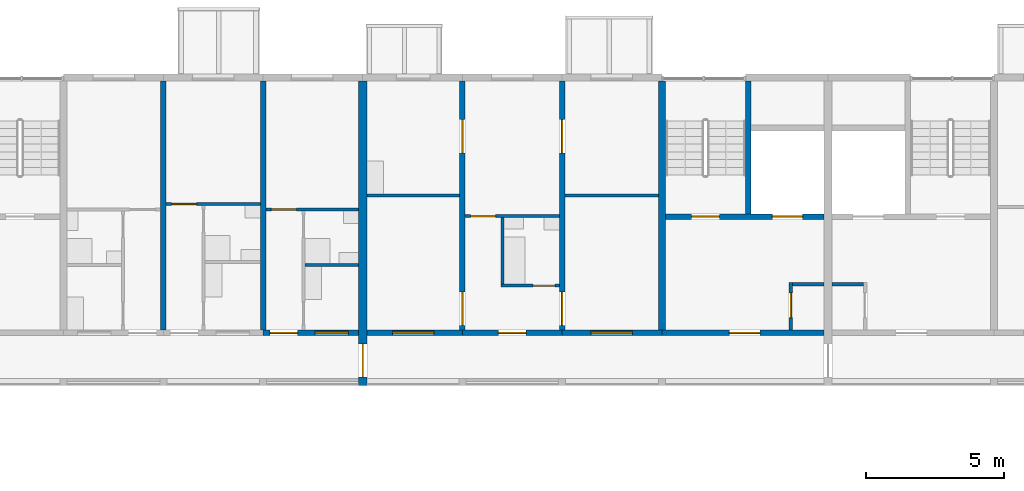
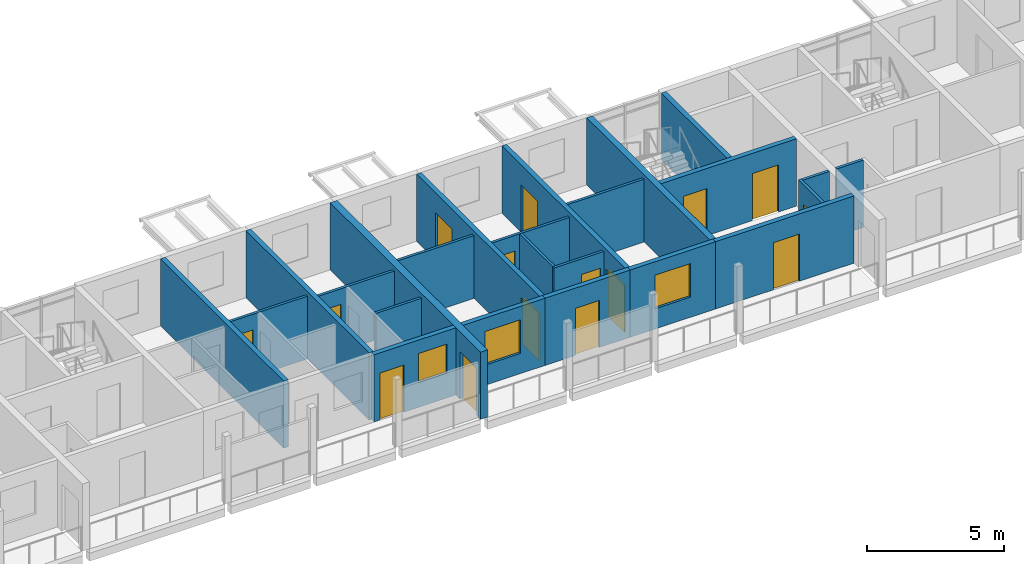
# One storey, part 55 of 99: 24 walls, 15 doors, 3 windows, 18 openings.
"""IFC4 building model written with IfcOpenShell, lengths in metres."""

import ifcopenshell
import ifcopenshell.guid

model = None  # the IFC model being written
_history = None  # IfcOwnerHistory: only IFC2X3 demands one
_inside = {}  # id of a spatial element -> (the spatial element, [elements in it])
_under = {}  # id of a project, library or spatial element -> (it, [spatial elements below it])
_declared = {}  # id of a project -> (the project, [libraries it declares])
_typed = {}  # id of a type object -> (the type object, [elements of that type])
_made_of = {}  # id of a material, layer set ... -> (it, [elements and type objects made of it])


def new_model(schema):
    """Start an empty IFC model of exactly this schema.

    Asked for "IFC4X3", IfcOpenShell would pick the latest addendum, in which some entities
    have other attributes; the version numbers below select the first issue.
    IFC2X3 requires an IfcOwnerHistory on every rooted entity: one is made here for all.
    """
    global model, _history
    if schema == "IFC4X3":
        model = ifcopenshell.file(schema_version=(4, 3, 0, 0))
    else:
        model = ifcopenshell.file(schema=schema)
    _inside.clear()
    _under.clear()
    _declared.clear()
    _typed.clear()
    _made_of.clear()
    _history = None
    if model.schema == "IFC2X3":
        org = make("IfcOrganization", Name="unknown")
        user = make(
            "IfcPersonAndOrganization",
            ThePerson=make("IfcPerson", FamilyName="unknown"),
            TheOrganization=org,
        )
        app = make(
            "IfcApplication",
            ApplicationDeveloper=org,
            Version="unknown",
            ApplicationFullName="unknown",
            ApplicationIdentifier="unknown",
        )
        _history = make(
            "IfcOwnerHistory",
            OwningUser=user,
            OwningApplication=app,
            ChangeAction="ADDED",
            CreationDate=0,
        )
    return model


def make(cls, **values):
    """One entity of the class cls with the attributes given. An attribute that is None is left unset."""
    return model.create_entity(
        cls, **{name: value for name, value in values.items() if value is not None}
    )


def rooted(cls, **values):
    """An entity with a GlobalId (a new one), such as an element, a storey or a relation."""
    return make(cls, GlobalId=ifcopenshell.guid.new(), OwnerHistory=_history, **values)


def si_unit(unit_type, name, prefix=None):
    """IfcSIUnit, for example si_unit("LENGTHUNIT", "METRE", prefix="MILLI")."""
    return make("IfcSIUnit", UnitType=unit_type, Prefix=prefix, Name=name)


def assignment(units):
    """IfcUnitAssignment: the units of a project."""
    return None if units is None else make("IfcUnitAssignment", Units=units)


def point(xyz):
    """IfcCartesianPoint."""
    return None if xyz is None else make("IfcCartesianPoint", Coordinates=xyz)


def direction(xyz):
    """IfcDirection."""
    return None if xyz is None else make("IfcDirection", DirectionRatios=xyz)


def frame(location, z_axis=None, x_axis=None):
    """IfcAxis2Placement3D, a coordinate frame: its origin and axes. An axis left out is left unset."""
    return make(
        "IfcAxis2Placement3D",
        Location=point(location),
        Axis=direction(z_axis),
        RefDirection=direction(x_axis),
    )


def frame_2d(location, x_axis=None):
    """IfcAxis2Placement2D, a coordinate frame in the plane: its origin and x axis."""
    return make(
        "IfcAxis2Placement2D", Location=point(location), RefDirection=direction(x_axis)
    )


def origin():
    """The frame at (0, 0, 0) with its axes left unset."""
    return frame((0.0, 0.0, 0.0))


def place(relative_to, where):
    """IfcLocalPlacement: puts the frame where relative to a parent placement (None: the world)."""
    return make(
        "IfcLocalPlacement", PlacementRelTo=relative_to, RelativePlacement=where
    )


def context(
    kind, dimensions, precision=None, world=None, true_north=None, identifier=None
):
    """IfcGeometricRepresentationContext, for example the 3D "Model" context."""
    return make(
        "IfcGeometricRepresentationContext",
        ContextIdentifier=identifier,
        ContextType=kind,
        CoordinateSpaceDimension=dimensions,
        Precision=precision,
        WorldCoordinateSystem=world,
        TrueNorth=true_north,
    )


def subcontext(parent, identifier, kind, view, scale=None):
    """IfcGeometricRepresentationSubContext, for example "Body" below "Model"."""
    return make(
        "IfcGeometricRepresentationSubContext",
        ContextIdentifier=identifier,
        ContextType=kind,
        ParentContext=parent,
        TargetScale=scale,
        TargetView=view,
    )


def project(units=None, contexts=None):
    """IfcProject with its units and contexts."""
    return rooted(
        "IfcProject",
        Name="project",
        RepresentationContexts=contexts,
        UnitsInContext=assignment(units),
    )


def spatial(cls, under=None, at=None, **own):
    """A site, building, storey or space (cls), placed at a placement, below another one or the project."""
    s = rooted(cls, ObjectPlacement=at, **own)
    if under is not None:
        _under.setdefault(under.id(), (under, []))[1].append(s)
    return s


def profile(cls, at=None, kind="AREA", **sizes):
    """A parametric profile (cls). Its sizes go by their IFC names, for example OverallWidth=200.0."""
    return make(cls, ProfileType=kind, Position=at, **sizes)


def rectangle(**sizes):
    """IfcRectangleProfileDef."""
    return profile("IfcRectangleProfileDef", **sizes)


def extrude(swept, where, along, depth):
    """IfcExtrudedAreaSolid: the profile swept, set in the frame where, extruded along a direction by depth."""
    return make(
        "IfcExtrudedAreaSolid",
        SweptArea=swept,
        Position=where,
        ExtrudedDirection=direction(along),
        Depth=depth,
    )


def shape(context_of_items, identifier, shape_type, items):
    """IfcShapeRepresentation: the items that make up one representation, for example the "Body"."""
    return make(
        "IfcShapeRepresentation",
        ContextOfItems=context_of_items,
        RepresentationIdentifier=identifier,
        RepresentationType=shape_type,
        Items=items,
    )


def material(Name=None, Category=None):
    """IfcMaterial."""
    return make("IfcMaterial", Name=Name, Category=Category)


def layer(
    of_material, thickness, ventilated=None, Name=None, Category=None, Priority=None
):
    """IfcMaterialLayer: one layer of a wall or slab, of a material (None: an air gap)."""
    return make(
        "IfcMaterialLayer",
        Material=of_material,
        LayerThickness=thickness,
        IsVentilated=ventilated,
        Name=Name,
        Category=Category,
        Priority=Priority,
    )


def layer_set(layers, Name=None):
    """IfcMaterialLayerSet."""
    return make("IfcMaterialLayerSet", MaterialLayers=layers, LayerSetName=Name)


def made_of(thing, what):
    """Note that an element or type object is made of a material, layer set ...; save() writes the relation."""
    if what is not None:
        _made_of.setdefault(what.id(), (what, []))[1].append(thing)
    return thing


def type_object(cls, material=None, **own):
    """A type object (cls), such as IfcWallType, which elements share."""
    return made_of(rooted(cls, **own), material)


def element(
    cls,
    number,
    at=None,
    inside=None,
    cuts=None,
    type_object=None,
    material=None,
    context=None,
    identifier="Body",
    shape_type=None,
    held_by="IfcProductDefinitionShape",
    body=None,
    shapes=None,
    **own,
):
    """One element of the class cls, such as IfcWall. Its Tag is "e" and its number.

    at: its placement. inside: the storey or other place that contains it. cuts: it is an
    opening in that element (IfcRelVoidsElement). A single representation is given by context,
    identifier, shape_type and body (its items); several are given by shapes. held_by: the class
    of the entity that holds the representations. save() writes the other relations.
    """
    e = rooted(cls, Tag="e%d" % number, ObjectPlacement=at, **own)
    if body is not None:
        shapes = [shape(context, identifier, shape_type, body)]
    if shapes is not None:
        e.Representation = make(held_by, Representations=shapes)
    if inside is not None:
        _inside.setdefault(inside.id(), (inside, []))[1].append(e)
    if cuts is not None:
        rooted(
            "IfcRelVoidsElement", RelatingBuildingElement=cuts, RelatedOpeningElement=e
        )
    if type_object is not None:
        _typed.setdefault(type_object.id(), (type_object, []))[1].append(e)
    return made_of(e, material)


def fill(opening, filler):
    """IfcRelFillsElement: the door or window that sits in an opening."""
    return rooted(
        "IfcRelFillsElement",
        RelatingOpeningElement=opening,
        RelatedBuildingElement=filler,
    )


def aggregate(whole, parts):
    """IfcRelAggregates: a whole, such as a stair, and the parts it consists of."""
    return rooted("IfcRelAggregates", RelatingObject=whole, RelatedObjects=parts)


def save(model, path):
    """Write the relations noted so far, then the file.

    IfcRelAggregates (storeys below a building ...), IfcRelContainedInSpatialStructure (elements
    in a storey), IfcRelDefinesByType, IfcRelAssociatesMaterial and IfcRelDeclares: one each for
    every whole, place, type object, material and project.
    """
    for whole, parts in _under.values():
        aggregate(whole, parts)
    for where, things in _inside.values():
        rooted(
            "IfcRelContainedInSpatialStructure",
            RelatedElements=things,
            RelatingStructure=where,
        )
    for kind, things in _typed.values():
        rooted("IfcRelDefinesByType", RelatedObjects=things, RelatingType=kind)
    for what, things in _made_of.values():
        rooted("IfcRelAssociatesMaterial", RelatedObjects=things, RelatingMaterial=what)
    for by, libraries in _declared.values():
        rooted("IfcRelDeclares", RelatingContext=by, RelatedDefinitions=libraries)
    model.write(path)


model = new_model("IFC4")

# Units and contexts
model_context = context("Model", 3, precision=1e-05, world=origin(), true_north=direction((0.0, 1.0)))
body_context = subcontext(model_context, "Body", "Model", "MODEL_VIEW")
ifc_project = project(units=[si_unit("LENGTHUNIT", "METRE"), si_unit("AREAUNIT", "SQUARE_METRE"), si_unit("VOLUMEUNIT", "CUBIC_METRE"), si_unit("PLANEANGLEUNIT", "RADIAN"), si_unit("MASSUNIT", "GRAM", prefix="KILO")], contexts=[model_context])

# Site, building, storey
site_placement = place(None, origin())
site = spatial("IfcSite", under=ifc_project, at=site_placement, CompositionType="ELEMENT")
building_placement = place(site_placement, origin())
building = spatial("IfcBuilding", under=site, at=building_placement, Name="Ridgestep Commons", CompositionType="ELEMENT")
storey_placement = place(building_placement, frame((0.0, 0.0, 15.0)))
storey = spatial("IfcBuildingStorey", under=building, at=storey_placement, Name="L05", CompositionType="ELEMENT", Elevation=15.0)

# Wall
ifc_material_1 = material(Name="Concrete C30/37", Category="concrete")
ifc_layer_1 = layer(ifc_material_1, 0.25)
ifc_layer_set_1 = layer_set([ifc_layer_1], Name="Core cross wall 250")
wall_type_1 = type_object("IfcWallType", Name="Core cross wall 250", PredefinedType="SHEAR", material=ifc_layer_set_1)
wall_1_placement = place(storey_placement, frame((224.800048828125, 68.0, 0.0), z_axis=(0.0, 0.0, 1.0), x_axis=(0.0, 1.0, 0.0)))
element("IfcWall", 1, at=wall_1_placement, inside=storey, type_object=wall_type_1, Name="Cross wall C-05-2248", PredefinedType="SHEAR", context=body_context, shape_type="SweptSolid", body=[
    extrude(rectangle(XDim=9.0, YDim=0.25, at=frame_2d((4.5, 0.0))), origin(), (0.0, 0.0, 1.0), 3.0),
])

# Wall, opening, door
ifc_material_2 = material(Name="Concrete C30/37", Category="concrete")
ifc_layer_2 = layer(ifc_material_2, 0.199951171875)
ifc_layer_set_2 = layer_set([ifc_layer_2], Name="Core south wall 200")
wall_type_2 = type_object("IfcWallType", Name="Core south wall 200", PredefinedType="SHEAR", material=ifc_layer_set_2)
wall_2_placement = place(storey_placement, frame((224.800048828125, 67.89990234375, 0.0), z_axis=(0.0, 0.0, 1.0), x_axis=(1.0, 0.0, 0.0)))
wall_2 = element("IfcWall", 2, at=wall_2_placement, inside=storey, type_object=wall_type_2, Name="Core south wall C5C L05", PredefinedType="SHEAR", context=body_context, shape_type="SweptSolid", body=[
    extrude(rectangle(XDim=5.849853515625, YDim=0.199951171875, at=frame_2d((2.9248046875, 0.0))), origin(), (0.0, 0.0, 1.0), 3.0),
])
opening_1_placement = place(wall_2_placement, frame((2.4375, 0.0, 0.0)))
opening_1 = element("IfcOpeningElement", 3, at=opening_1_placement, cuts=wall_2, Name="Opening C5C/05/1", PredefinedType="OPENING", context=body_context, shape_type="SweptSolid", body=[
    extrude(rectangle(XDim=1.10009765625, YDim=2.10009765625, at=frame_2d((0.550048828125, 1.050048828125))), frame((0.0, 0.10986328125, 0.0), z_axis=(0.0, -1.0, 0.0), x_axis=(1.0, 0.0, 0.0)), (0.0, 0.0, 1.0), 0.219970703125),
])
ifc_material_3 = material(Name="Steel fire door", Category="steel")
door_type_1 = type_object("IfcDoorType", Name="Lobby door 1100 x 2100 FD60", OperationType="NOTDEFINED", PredefinedType="DOOR", material=ifc_material_3)
door_1_placement = place(opening_1_placement, origin())
door_1 = element("IfcDoor", 4, at=door_1_placement, inside=storey, type_object=door_type_1, Name="Lobby door C5C/05/1", OperationType="SINGLE_SWING_LEFT", OverallHeight=2.10009765625, OverallWidth=1.10009765625, PredefinedType="DOOR", context=body_context, shape_type="SweptSolid", body=[
    extrude(rectangle(XDim=1.10009765625, YDim=2.10009765625, at=frame_2d((0.550048828125, 1.050048828125))), frame((0.0, 0.02490234375, 0.0), z_axis=(0.0, -1.0, 0.0), x_axis=(1.0, 0.0, 0.0)), (0.0, 0.0, 1.0), 0.050048828125),
])
fill(opening_1, door_1)

ifc_material_4 = material(Name="Concrete C30/37", Category="concrete")
ifc_layer_3 = layer(ifc_material_4, 0.1201171875)
ifc_layer_set_3 = layer_set([ifc_layer_3], Name="Core wall 120")
wall_type_3 = type_object("IfcWallType", Name="Core wall 120", PredefinedType="SHEAR", material=ifc_layer_set_3)
wall_3_placement = place(storey_placement, frame((229.4599609375, 68.0, 0.0), z_axis=(0.0, 0.0, 1.0), x_axis=(0.0, 1.0, 0.0)))
wall_3 = element("IfcWall", 5, at=wall_3_placement, inside=storey, type_object=wall_type_3, Name="Core riser w wall C5C L05", PredefinedType="SHEAR", context=body_context, shape_type="SweptSolid", body=[
    extrude(rectangle(XDim=1.719970703125, YDim=0.1201171875, at=frame_2d((0.85986328125, 0.0))), origin(), (0.0, 0.0, 1.0), 3.0),
])
opening_2_placement = place(wall_3_placement, frame((0.449951171875, 0.0, 0.0)))
opening_2 = element("IfcOpeningElement", 6, at=opening_2_placement, cuts=wall_3, Name="Opening C5C/05/4", PredefinedType="OPENING", context=body_context, shape_type="SweptSolid", body=[
    extrude(rectangle(XDim=0.89990234375, YDim=2.10009765625, at=frame_2d((0.449951171875, 1.050048828125))), frame((0.0, 0.070068359375, 0.0), z_axis=(0.0, -1.0, 0.0), x_axis=(1.0, 0.0, 0.0)), (0.0, 0.0, 1.0), 0.14013671875),
])
ifc_material_5 = material(Name="Steel fire door", Category="steel")
door_type_2 = type_object("IfcDoorType", Name="Riser door 900 x 2100 FD60", OperationType="NOTDEFINED", PredefinedType="DOOR", material=ifc_material_5)
door_2_placement = place(opening_2_placement, origin())
door_2 = element("IfcDoor", 7, at=door_2_placement, inside=storey, type_object=door_type_2, Name="Riser door C5C/05/4", OperationType="SINGLE_SWING_LEFT", OverallHeight=2.10009765625, OverallWidth=0.89990234375, PredefinedType="DOOR", context=body_context, shape_type="SweptSolid", body=[
    extrude(rectangle(XDim=0.89990234375, YDim=2.10009765625, at=frame_2d((0.449951171875, 1.050048828125))), frame((0.0, 0.02490234375, 0.0), z_axis=(0.0, -1.0, 0.0), x_axis=(1.0, 0.0, 0.0)), (0.0, 0.0, 1.0), 0.050048828125),
])
fill(opening_2, door_2)

# Walls
wall_4_placement = place(storey_placement, frame((229.52001953125, 69.659912109375, 0.0), z_axis=(0.0, 0.0, 1.0), x_axis=(1.0, 0.0, 0.0)))
element("IfcWall", 8, at=wall_4_placement, inside=storey, type_object=wall_type_3, Name="Core riser n wall C5C L05", PredefinedType="SHEAR", context=body_context, shape_type="SweptSolid", body=[
    extrude(rectangle(XDim=1.1298828125, YDim=0.1201171875, at=frame_2d((0.56494140625, 0.0))), origin(), (0.0, 0.0, 1.0), 3.0),
])
wall_5_placement = place(storey_placement, frame((230.949951171875, 69.659912109375, 0.0), z_axis=(0.0, 0.0, 1.0), x_axis=(1.0, 0.0, 0.0)))
element("IfcWall", 9, at=wall_5_placement, inside=storey, type_object=wall_type_3, Name="Core riser n wall C6C L05", PredefinedType="SHEAR", context=body_context, shape_type="SweptSolid", body=[
    extrude(rectangle(XDim=1.130126953125, YDim=0.1201171875, at=frame_2d((0.56494140625, 0.0))), origin(), (0.0, 0.0, 1.0), 3.0),
])

# Wall, openings, doors
ifc_material_6 = material(Name="Concrete C30/37", Category="concrete")
ifc_layer_4 = layer(ifc_material_6, 0.199951171875)
ifc_layer_set_4 = layer_set([ifc_layer_4], Name="Core wall 200")
wall_type_4 = type_object("IfcWallType", Name="Core wall 200", PredefinedType="SHEAR", material=ifc_layer_set_4)
wall_6_placement = place(storey_placement, frame((224.925048828125, 72.10009765625, 0.0), z_axis=(0.0, 0.0, 1.0), x_axis=(1.0, 0.0, 0.0)))
wall_6 = element("IfcWall", 10, at=wall_6_placement, inside=storey, type_object=wall_type_4, Name="Core lobby wall C5C L05", PredefinedType="SHEAR", context=body_context, shape_type="SweptSolid", body=[
    extrude(rectangle(XDim=5.724853515625, YDim=0.199951171875, at=frame_2d((2.8623046875, 0.0))), origin(), (0.0, 0.0, 1.0), 3.0),
])
opening_3_placement = place(wall_6_placement, frame((0.949951171875, 0.0, 0.0)))
opening_3 = element("IfcOpeningElement", 11, at=opening_3_placement, cuts=wall_6, Name="Opening C5C/05/2", PredefinedType="OPENING", context=body_context, shape_type="SweptSolid", body=[
    extrude(rectangle(XDim=1.0, YDim=2.10009765625, at=frame_2d((0.5, 1.050048828125))), frame((0.0, 0.10986328125, 0.0), z_axis=(0.0, -1.0, 0.0), x_axis=(1.0, 0.0, 0.0)), (0.0, 0.0, 1.0), 0.219970703125),
])
opening_4_placement = place(wall_6_placement, frame((3.862548828125, 0.0, 0.0)))
opening_4 = element("IfcOpeningElement", 12, at=opening_4_placement, cuts=wall_6, Name="Opening C5C/05/3", PredefinedType="OPENING", context=body_context, shape_type="SweptSolid", body=[
    extrude(rectangle(XDim=1.10009765625, YDim=2.10009765625, at=frame_2d((0.550048828125, 1.050048828125))), frame((0.0, 0.10986328125, 0.0), z_axis=(0.0, -1.0, 0.0), x_axis=(1.0, 0.0, 0.0)), (0.0, 0.0, 1.0), 0.219970703125),
])
ifc_material_7 = material(Name="Stainless steel", Category="steel")
door_type_3 = type_object("IfcDoorType", Name="Lift landing door 1100 x 2100 FD60", OperationType="DOUBLE_DOOR_SLIDING", PredefinedType="DOOR", material=ifc_material_7)
door_3_placement = place(opening_4_placement, origin())
door_3 = element("IfcDoor", 13, at=door_3_placement, inside=storey, type_object=door_type_3, Name="Landing door LD C5C L05", OperationType="DOUBLE_DOOR_SLIDING", OverallHeight=2.10009765625, OverallWidth=1.10009765625, PredefinedType="DOOR", context=body_context, shape_type="SweptSolid", body=[
    extrude(rectangle(XDim=1.10009765625, YDim=2.10009765625, at=frame_2d((0.550048828125, 1.050048828125))), frame((0.0, 0.02490234375, 0.0), z_axis=(0.0, -1.0, 0.0), x_axis=(1.0, 0.0, 0.0)), (0.0, 0.0, 1.0), 0.050048828125),
])
fill(opening_4, door_3)
ifc_material_8 = material(Name="Steel fire door", Category="steel")
door_type_4 = type_object("IfcDoorType", Name="Stair door 1000 x 2100 FD60", OperationType="NOTDEFINED", PredefinedType="DOOR", material=ifc_material_8)
door_4_placement = place(opening_3_placement, origin())
door_4 = element("IfcDoor", 14, at=door_4_placement, inside=storey, type_object=door_type_4, Name="Stair door C5C/05/2", OperationType="SINGLE_SWING_RIGHT", OverallHeight=2.10009765625, OverallWidth=1.0, PredefinedType="DOOR", context=body_context, shape_type="SweptSolid", body=[
    extrude(rectangle(XDim=1.0, YDim=2.10009765625, at=frame_2d((0.5, 1.050048828125))), frame((0.0, 0.02490234375, 0.0), z_axis=(0.0, -1.0, 0.0), x_axis=(1.0, 0.0, 0.0)), (0.0, 0.0, 1.0), 0.050048828125),
])
fill(opening_3, door_4)

# Walls
wall_7_placement = place(storey_placement, frame((227.925048828125, 72.199951171875, 0.0), z_axis=(0.0, 0.0, 1.0), x_axis=(0.0, 1.0, 0.0)))
element("IfcWall", 15, at=wall_7_placement, inside=storey, type_object=wall_type_4, Name="Core stair wall C5C L05", PredefinedType="SHEAR", context=body_context, shape_type="SweptSolid", body=[
    extrude(rectangle(XDim=4.800048828125, YDim=0.199951171875, at=frame_2d((2.39990234375, 0.0))), origin(), (0.0, 0.0, 1.0), 3.0),
])
ifc_material_9 = material(Name="Precast concrete C40/50", Category="concrete")
ifc_layer_5 = layer(ifc_material_9, 0.199951171875)
ifc_layer_set_5 = layer_set([ifc_layer_5], Name="Cross wall 200")
wall_type_5 = type_object("IfcWallType", Name="Cross wall 200", PredefinedType="SHEAR", material=ifc_layer_set_5)
for number, where, z_axis, x_axis, name in (
    (16, (206.800048828125, 68.0, 0.0), (0.0, 0.0, 1.0), (0.0, 1.0, 0.0), "Cross wall C-05-2068"),
    (17, (210.39990234375, 68.0, 0.0), (0.0, 0.0, 1.0), (0.0, 1.0, 0.0), "Cross wall C-05-2104"),
):
    element("IfcWall", number, at=place(storey_placement, frame(where, z_axis=z_axis, x_axis=x_axis)), inside=storey, type_object=wall_type_5, Name=name, PredefinedType="SHEAR", context=body_context, shape_type="SweptSolid", body=[
        extrude(rectangle(XDim=9.0, YDim=0.199951171875, at=frame_2d((4.5, 0.0))), origin(), (0.0, 0.0, 1.0), 3.0),
    ])

# Wall, openings, doors
wall_8_placement = place(storey_placement, frame((217.60009765625, 68.0, 0.0), z_axis=(0.0, 0.0, 1.0), x_axis=(0.0, 1.0, 0.0)))
wall_8 = element("IfcWall", 18, at=wall_8_placement, inside=storey, type_object=wall_type_5, Name="Cross wall C-05-2176", PredefinedType="SHEAR", context=body_context, shape_type="SweptSolid", body=[
    extrude(rectangle(XDim=9.0, YDim=0.199951171875, at=frame_2d((4.5, 0.0))), origin(), (0.0, 0.0, 1.0), 3.0),
])
opening_5_placement = place(wall_8_placement, frame((0.175048828125, 0.0, 0.0)))
opening_5 = element("IfcOpeningElement", 19, at=opening_5_placement, cuts=wall_8, Name="Opening C5-05a/4", PredefinedType="OPENING", context=body_context, shape_type="SweptSolid", body=[
    extrude(rectangle(XDim=1.199951171875, YDim=2.10009765625, at=frame_2d((0.60009765625, 1.050048828125))), frame((0.0, 0.10986328125, 0.0), z_axis=(0.0, -1.0, 0.0), x_axis=(1.0, 0.0, 0.0)), (0.0, 0.0, 1.0), 0.219970703125),
])
opening_6_placement = place(wall_8_placement, frame((6.39990234375, 0.0, 0.0)))
opening_6 = element("IfcOpeningElement", 20, at=opening_6_placement, cuts=wall_8, Name="Opening C5-05a/5", PredefinedType="OPENING", context=body_context, shape_type="SweptSolid", body=[
    extrude(rectangle(XDim=1.199951171875, YDim=2.10009765625, at=frame_2d((0.60009765625, 1.050048828125))), frame((0.0, 0.10986328125, 0.0), z_axis=(0.0, -1.0, 0.0), x_axis=(1.0, 0.0, 0.0)), (0.0, 0.0, 1.0), 0.219970703125),
])
ifc_material_10 = material(Name="Timber door leaf", Category="wood")
door_type_5 = type_object("IfcDoorType", Name="Double door 1200 x 2100", OperationType="DOUBLE_DOOR_SINGLE_SWING", PredefinedType="DOOR", material=ifc_material_10)
door_5_placement = place(opening_5_placement, origin())
door_5 = element("IfcDoor", 21, at=door_5_placement, inside=storey, type_object=door_type_5, Name="Double door C5-05a/4", OperationType="DOUBLE_DOOR_SINGLE_SWING", OverallHeight=2.10009765625, OverallWidth=1.199951171875, PredefinedType="DOOR", context=body_context, shape_type="SweptSolid", body=[
    extrude(rectangle(XDim=1.199951171875, YDim=2.10009765625, at=frame_2d((0.60009765625, 1.050048828125))), frame((0.0, 0.02490234375, 0.0), z_axis=(0.0, -1.0, 0.0), x_axis=(1.0, 0.0, 0.0)), (0.0, 0.0, 1.0), 0.050048828125),
])
fill(opening_5, door_5)
door_6_placement = place(opening_6_placement, origin())
door_6 = element("IfcDoor", 22, at=door_6_placement, inside=storey, type_object=door_type_5, Name="Double door C5-05a/5", OperationType="DOUBLE_DOOR_SINGLE_SWING", OverallHeight=2.10009765625, OverallWidth=1.199951171875, PredefinedType="DOOR", context=body_context, shape_type="SweptSolid", body=[
    extrude(rectangle(XDim=1.199951171875, YDim=2.10009765625, at=frame_2d((0.60009765625, 1.050048828125))), frame((0.0, 0.02490234375, 0.0), z_axis=(0.0, -1.0, 0.0), x_axis=(1.0, 0.0, 0.0)), (0.0, 0.0, 1.0), 0.050048828125),
])
fill(opening_6, door_6)

wall_9_placement = place(storey_placement, frame((221.199951171875, 68.0, 0.0), z_axis=(0.0, 0.0, 1.0), x_axis=(0.0, 1.0, 0.0)))
wall_9 = element("IfcWall", 23, at=wall_9_placement, inside=storey, type_object=wall_type_5, Name="Cross wall C-05-2212", PredefinedType="SHEAR", context=body_context, shape_type="SweptSolid", body=[
    extrude(rectangle(XDim=9.0, YDim=0.199951171875, at=frame_2d((4.5, 0.0))), origin(), (0.0, 0.0, 1.0), 3.0),
])
opening_7_placement = place(wall_9_placement, frame((0.175048828125, 0.0, 0.0)))
opening_7 = element("IfcOpeningElement", 24, at=opening_7_placement, cuts=wall_9, Name="Opening C5-05a/6", PredefinedType="OPENING", context=body_context, shape_type="SweptSolid", body=[
    extrude(rectangle(XDim=1.199951171875, YDim=2.10009765625, at=frame_2d((0.60009765625, 1.050048828125))), frame((0.0, 0.10986328125, 0.0), z_axis=(0.0, -1.0, 0.0), x_axis=(1.0, 0.0, 0.0)), (0.0, 0.0, 1.0), 0.219970703125),
])
opening_8_placement = place(wall_9_placement, frame((6.39990234375, 0.0, 0.0)))
opening_8 = element("IfcOpeningElement", 25, at=opening_8_placement, cuts=wall_9, Name="Opening C5-05a/7", PredefinedType="OPENING", context=body_context, shape_type="SweptSolid", body=[
    extrude(rectangle(XDim=1.199951171875, YDim=2.10009765625, at=frame_2d((0.60009765625, 1.050048828125))), frame((0.0, 0.10986328125, 0.0), z_axis=(0.0, -1.0, 0.0), x_axis=(1.0, 0.0, 0.0)), (0.0, 0.0, 1.0), 0.219970703125),
])
door_7_placement = place(opening_7_placement, origin())
door_7 = element("IfcDoor", 26, at=door_7_placement, inside=storey, type_object=door_type_5, Name="Double door C5-05a/6", OperationType="DOUBLE_DOOR_SINGLE_SWING", OverallHeight=2.10009765625, OverallWidth=1.199951171875, PredefinedType="DOOR", context=body_context, shape_type="SweptSolid", body=[
    extrude(rectangle(XDim=1.199951171875, YDim=2.10009765625, at=frame_2d((0.60009765625, 1.050048828125))), frame((0.0, 0.02490234375, 0.0), z_axis=(0.0, -1.0, 0.0), x_axis=(1.0, 0.0, 0.0)), (0.0, 0.0, 1.0), 0.050048828125),
])
fill(opening_7, door_7)
door_8_placement = place(opening_8_placement, origin())
door_8 = element("IfcDoor", 27, at=door_8_placement, inside=storey, type_object=door_type_5, Name="Double door C5-05a/7", OperationType="DOUBLE_DOOR_SINGLE_SWING", OverallHeight=2.10009765625, OverallWidth=1.199951171875, PredefinedType="DOOR", context=body_context, shape_type="SweptSolid", body=[
    extrude(rectangle(XDim=1.199951171875, YDim=2.10009765625, at=frame_2d((0.60009765625, 1.050048828125))), frame((0.0, 0.02490234375, 0.0), z_axis=(0.0, -1.0, 0.0), x_axis=(1.0, 0.0, 0.0)), (0.0, 0.0, 1.0), 0.050048828125),
])
fill(opening_8, door_8)

# Wall, opening, door
ifc_material_11 = material(Name="Precast concrete C40/50", Category="concrete")
ifc_layer_6 = layer(ifc_material_11, 0.300048828125)
ifc_layer_set_6 = layer_set([ifc_layer_6], Name="Division wall 300")
wall_type_6 = type_object("IfcWallType", Name="Division wall 300", PredefinedType="SHEAR", material=ifc_layer_set_6)
wall_10_placement = place(storey_placement, frame((214.0, 66.0, 0.0), z_axis=(0.0, 0.0, 1.0), x_axis=(0.0, 1.0, 0.0)))
wall_10 = element("IfcWall", 28, at=wall_10_placement, inside=storey, type_object=wall_type_6, Name="Cross wall C-05-2140", PredefinedType="SHEAR", context=body_context, shape_type="SweptSolid", body=[
    extrude(rectangle(XDim=11.0, YDim=0.300048828125, at=frame_2d((5.5, 0.0))), origin(), (0.0, 0.0, 1.0), 3.0),
])
opening_9_placement = place(wall_10_placement, frame((0.300048828125, 0.0, 0.0)))
opening_9 = element("IfcOpeningElement", 29, at=opening_9_placement, cuts=wall_10, Name="Opening C/05/G2140", PredefinedType="OPENING", context=body_context, shape_type="SweptSolid", body=[
    extrude(rectangle(XDim=1.199951171875, YDim=2.10009765625, at=frame_2d((0.60009765625, 1.050048828125))), frame((0.0, 0.159912109375, 0.0), z_axis=(0.0, -1.0, 0.0), x_axis=(1.0, 0.0, 0.0)), (0.0, 0.0, 1.0), 0.320068359375),
])
ifc_material_12 = material(Name="Steel fire door", Category="steel")
door_type_6 = type_object("IfcDoorType", Name="Division fire door 1200 x 2100 EI 240", OperationType="DOUBLE_DOOR_SINGLE_SWING", PredefinedType="DOOR", material=ifc_material_12)
door_9_placement = place(opening_9_placement, origin())
door_9 = element("IfcDoor", 30, at=door_9_placement, inside=storey, type_object=door_type_6, Name="Division fire door C/05/G2140", OperationType="DOUBLE_DOOR_SINGLE_SWING", OverallHeight=2.10009765625, OverallWidth=1.199951171875, PredefinedType="DOOR", context=body_context, shape_type="SweptSolid", body=[
    extrude(rectangle(XDim=1.199951171875, YDim=2.10009765625, at=frame_2d((0.60009765625, 1.050048828125))), frame((0.0, 0.02490234375, 0.0), z_axis=(0.0, -1.0, 0.0), x_axis=(1.0, 0.0, 0.0)), (0.0, 0.0, 1.0), 0.050048828125),
])
fill(opening_9, door_9)

# Wall
ifc_material_13 = material(Name="Common brick 110 mm", Category="masonry")
ifc_layer_7 = layer(ifc_material_13, 0.110107421875)
ifc_layer_set_7 = layer_set([ifc_layer_7], Name="Partition 110")
wall_type_7 = type_object("IfcWallType", Name="Partition 110", PredefinedType="PARTITIONING", material=ifc_layer_set_7)
wall_11_placement = place(storey_placement, frame((211.909912109375, 70.35498046875, 0.0), z_axis=(0.0, 0.0, 1.0), x_axis=(1.0, 0.0, 0.0)))
element("IfcWall", 31, at=wall_11_placement, inside=storey, type_object=wall_type_7, Name="Partition C4-05a", PredefinedType="PARTITIONING", context=body_context, shape_type="SweptSolid", body=[
    extrude(rectangle(XDim=1.940185546875, YDim=0.110107421875, at=frame_2d((0.97021484375, 0.0))), origin(), (0.0, 0.0, 1.0), 2.800048828125),
])

# Wall, opening, door
wall_12_placement = place(storey_placement, frame((210.5, 72.35498046875, 0.0), z_axis=(0.0, 0.0, 1.0), x_axis=(1.0, 0.0, 0.0)))
wall_12 = element("IfcWall", 32, at=wall_12_placement, inside=storey, type_object=wall_type_7, Name="Partition C4-05a", PredefinedType="PARTITIONING", context=body_context, shape_type="SweptSolid", body=[
    extrude(rectangle(XDim=3.35009765625, YDim=0.110107421875, at=frame_2d((1.675048828125, 0.0))), origin(), (0.0, 0.0, 1.0), 2.800048828125),
])
opening_10_placement = place(wall_12_placement, frame((0.199951171875, 0.0, 0.0)))
opening_10 = element("IfcOpeningElement", 33, at=opening_10_placement, cuts=wall_12, Name="Opening C4-05a/4", PredefinedType="OPENING", context=body_context, shape_type="SweptSolid", body=[
    extrude(rectangle(XDim=0.89990234375, YDim=2.10009765625, at=frame_2d((0.449951171875, 1.050048828125))), frame((0.0, 0.06494140625, 0.0), z_axis=(0.0, -1.0, 0.0), x_axis=(1.0, 0.0, 0.0)), (0.0, 0.0, 1.0), 0.130126953125),
])
ifc_material_14 = material(Name="Timber door leaf", Category="wood")
door_type_7 = type_object("IfcDoorType", Name="Internal door 900 x 2100", OperationType="NOTDEFINED", PredefinedType="DOOR", material=ifc_material_14)
door_10_placement = place(opening_10_placement, origin())
door_10 = element("IfcDoor", 34, at=door_10_placement, inside=storey, type_object=door_type_7, Name="Internal door C4-05a/4", OperationType="SINGLE_SWING_LEFT", OverallHeight=2.10009765625, OverallWidth=0.89990234375, PredefinedType="DOOR", context=body_context, shape_type="SweptSolid", body=[
    extrude(rectangle(XDim=0.89990234375, YDim=2.10009765625, at=frame_2d((0.449951171875, 1.050048828125))), frame((0.0, 0.02490234375, 0.0), z_axis=(0.0, -1.0, 0.0), x_axis=(1.0, 0.0, 0.0)), (0.0, 0.0, 1.0), 0.050048828125),
])
fill(opening_10, door_10)

wall_13_placement = place(storey_placement, frame((206.89990234375, 72.554931640625, 0.0), z_axis=(0.0, 0.0, 1.0), x_axis=(1.0, 0.0, 0.0)))
wall_13 = element("IfcWall", 35, at=wall_13_placement, inside=storey, type_object=wall_type_7, Name="Partition C4-05b", PredefinedType="PARTITIONING", context=body_context, shape_type="SweptSolid", body=[
    extrude(rectangle(XDim=3.400146484375, YDim=0.110107421875, at=frame_2d((1.7001953125, 0.0))), origin(), (0.0, 0.0, 1.0), 2.800048828125),
])
opening_11_placement = place(wall_13_placement, frame((0.199951171875, 0.0, 0.0)))
opening_11 = element("IfcOpeningElement", 36, at=opening_11_placement, cuts=wall_13, Name="Opening C4-05b/4", PredefinedType="OPENING", context=body_context, shape_type="SweptSolid", body=[
    extrude(rectangle(XDim=0.89990234375, YDim=2.10009765625, at=frame_2d((0.449951171875, 1.050048828125))), frame((0.0, 0.06494140625, 0.0), z_axis=(0.0, -1.0, 0.0), x_axis=(1.0, 0.0, 0.0)), (0.0, 0.0, 1.0), 0.130126953125),
])
door_11_placement = place(opening_11_placement, origin())
door_11 = element("IfcDoor", 37, at=door_11_placement, inside=storey, type_object=door_type_7, Name="Internal door C4-05b/4", OperationType="SINGLE_SWING_LEFT", OverallHeight=2.10009765625, OverallWidth=0.89990234375, PredefinedType="DOOR", context=body_context, shape_type="SweptSolid", body=[
    extrude(rectangle(XDim=0.89990234375, YDim=2.10009765625, at=frame_2d((0.449951171875, 1.050048828125))), frame((0.0, 0.02490234375, 0.0), z_axis=(0.0, -1.0, 0.0), x_axis=(1.0, 0.0, 0.0)), (0.0, 0.0, 1.0), 0.050048828125),
])
fill(opening_11, door_11)

wall_14_placement = place(storey_placement, frame((219.0, 69.60498046875, 0.0), z_axis=(0.0, 0.0, 1.0), x_axis=(1.0, 0.0, 0.0)))
wall_14 = element("IfcWall", 38, at=wall_14_placement, inside=storey, type_object=wall_type_7, Name="Partition C5-05a", PredefinedType="PARTITIONING", context=body_context, shape_type="SweptSolid", body=[
    extrude(rectangle(XDim=2.10009765625, YDim=0.110107421875, at=frame_2d((1.050048828125, 0.0))), origin(), (0.0, 0.0, 1.0), 2.800048828125),
])
opening_12_placement = place(wall_14_placement, frame((1.14990234375, 0.0, 0.0)))
opening_12 = element("IfcOpeningElement", 39, at=opening_12_placement, cuts=wall_14, Name="Opening C5-05a/2", PredefinedType="OPENING", context=body_context, shape_type="SweptSolid", body=[
    extrude(rectangle(XDim=0.800048828125, YDim=2.10009765625, at=frame_2d((0.39990234375, 1.050048828125))), frame((0.0, 0.06494140625, 0.0), z_axis=(0.0, -1.0, 0.0), x_axis=(1.0, 0.0, 0.0)), (0.0, 0.0, 1.0), 0.130126953125),
])
ifc_material_15 = material(Name="Timber door leaf", Category="wood")
door_type_8 = type_object("IfcDoorType", Name="Internal door 800 x 2100", OperationType="NOTDEFINED", PredefinedType="DOOR", material=ifc_material_15)
door_12_placement = place(opening_12_placement, origin())
door_12 = element("IfcDoor", 40, at=door_12_placement, inside=storey, type_object=door_type_8, Name="Internal door C5-05a/2", OperationType="SINGLE_SWING_RIGHT", OverallHeight=2.10009765625, OverallWidth=0.800048828125, PredefinedType="DOOR", context=body_context, shape_type="SweptSolid", body=[
    extrude(rectangle(XDim=0.800048828125, YDim=2.10009765625, at=frame_2d((0.39990234375, 1.050048828125))), frame((0.0, 0.02490234375, 0.0), z_axis=(0.0, -1.0, 0.0), x_axis=(1.0, 0.0, 0.0)), (0.0, 0.0, 1.0), 0.050048828125),
])
fill(opening_12, door_12)

# Wall
wall_15_placement = place(storey_placement, frame((219.054931640625, 69.659912109375, 0.0), z_axis=(0.0, 0.0, 1.0), x_axis=(0.0, 1.0, 0.0)))
element("IfcWall", 41, at=wall_15_placement, inside=storey, type_object=wall_type_7, Name="Partition C5-05a", PredefinedType="PARTITIONING", context=body_context, shape_type="SweptSolid", body=[
    extrude(rectangle(XDim=2.400146484375, YDim=0.110107421875, at=frame_2d((1.2001953125, 0.0))), origin(), (0.0, 0.0, 1.0), 2.800048828125),
])

# Wall, opening, door
wall_16_placement = place(storey_placement, frame((217.699951171875, 72.114990234375, 0.0), z_axis=(0.0, 0.0, 1.0), x_axis=(1.0, 0.0, 0.0)))
wall_16 = element("IfcWall", 42, at=wall_16_placement, inside=storey, type_object=wall_type_7, Name="Partition C5-05a", PredefinedType="PARTITIONING", context=body_context, shape_type="SweptSolid", body=[
    extrude(rectangle(XDim=3.400146484375, YDim=0.110107421875, at=frame_2d((1.7001953125, 0.0))), origin(), (0.0, 0.0, 1.0), 2.800048828125),
])
opening_13_placement = place(wall_16_placement, frame((0.199951171875, 0.0, 0.0)))
opening_13 = element("IfcOpeningElement", 43, at=opening_13_placement, cuts=wall_16, Name="Opening C5-05a/3", PredefinedType="OPENING", context=body_context, shape_type="SweptSolid", body=[
    extrude(rectangle(XDim=0.89990234375, YDim=2.10009765625, at=frame_2d((0.449951171875, 1.050048828125))), frame((0.0, 0.06494140625, 0.0), z_axis=(0.0, -1.0, 0.0), x_axis=(1.0, 0.0, 0.0)), (0.0, 0.0, 1.0), 0.130126953125),
])
door_13_placement = place(opening_13_placement, origin())
door_13 = element("IfcDoor", 44, at=door_13_placement, inside=storey, type_object=door_type_7, Name="Internal door C5-05a/3", OperationType="SINGLE_SWING_LEFT", OverallHeight=2.10009765625, OverallWidth=0.89990234375, PredefinedType="DOOR", context=body_context, shape_type="SweptSolid", body=[
    extrude(rectangle(XDim=0.89990234375, YDim=2.10009765625, at=frame_2d((0.449951171875, 1.050048828125))), frame((0.0, 0.02490234375, 0.0), z_axis=(0.0, -1.0, 0.0), x_axis=(1.0, 0.0, 0.0)), (0.0, 0.0, 1.0), 0.050048828125),
])
fill(opening_13, door_13)

# Walls
wall_17_placement = place(storey_placement, frame((214.14990234375, 72.85498046875, 0.0), z_axis=(0.0, 0.0, 1.0), x_axis=(1.0, 0.0, 0.0)))
element("IfcWall", 45, at=wall_17_placement, inside=storey, type_object=wall_type_7, Name="Partition C5-05a", PredefinedType="PARTITIONING", context=body_context, shape_type="SweptSolid", body=[
    extrude(rectangle(XDim=3.35009765625, YDim=0.110107421875, at=frame_2d((1.675048828125, 0.0))), origin(), (0.0, 0.0, 1.0), 2.800048828125),
])
wall_18_placement = place(storey_placement, frame((221.300048828125, 72.85498046875, 0.0), z_axis=(0.0, 0.0, 1.0), x_axis=(1.0, 0.0, 0.0)))
element("IfcWall", 46, at=wall_18_placement, inside=storey, type_object=wall_type_7, Name="Partition C5-05a", PredefinedType="PARTITIONING", context=body_context, shape_type="SweptSolid", body=[
    extrude(rectangle(XDim=3.375, YDim=0.110107421875, at=frame_2d((1.6875, 0.0))), origin(), (0.0, 0.0, 1.0), 2.800048828125),
])

# Wall, openings, door, window
ifc_material_16 = material(Name="Precast concrete C40/50", Category="concrete")
ifc_layer_8 = layer(ifc_material_16, 0.199951171875)
ifc_layer_set_8 = layer_set([ifc_layer_8], Name="South facade panel 200")
wall_type_8 = type_object("IfcWallType", Name="South facade panel 200", PredefinedType="SOLIDWALL", material=ifc_layer_set_8)
wall_19_placement = place(storey_placement, frame((210.39990234375, 67.89990234375, 0.0), z_axis=(0.0, 0.0, 1.0), x_axis=(1.0, 0.0, 0.0)))
wall_19 = element("IfcWall", 47, at=wall_19_placement, inside=storey, type_object=wall_type_8, Name="South panel C4T1 L05", PredefinedType="SOLIDWALL", context=body_context, shape_type="SweptSolid", body=[
    extrude(rectangle(XDim=3.4501953125, YDim=0.199951171875, at=frame_2d((1.72509765625, 0.0))), origin(), (0.0, 0.0, 1.0), 3.0),
])
opening_14_placement = place(wall_19_placement, frame((1.8798828125, 0.0, 1.10009765625)))
opening_14 = element("IfcOpeningElement", 48, at=opening_14_placement, cuts=wall_19, Name="Opening W08", PredefinedType="OPENING", context=body_context, shape_type="SweptSolid", body=[
    extrude(rectangle(XDim=1.199951171875, YDim=1.300048828125, at=frame_2d((0.60009765625, 0.64990234375))), frame((0.0, 0.10986328125, 0.0), z_axis=(0.0, -1.0, 0.0), x_axis=(1.0, 0.0, 0.0)), (0.0, 0.0, 1.0), 0.219970703125),
])
opening_15_placement = place(wall_19_placement, frame((0.25, 0.0, 0.0)))
opening_15 = element("IfcOpeningElement", 49, at=opening_15_placement, cuts=wall_19, Name="Opening C4-05a/1", PredefinedType="OPENING", context=body_context, shape_type="SweptSolid", body=[
    extrude(rectangle(XDim=1.0, YDim=2.10009765625, at=frame_2d((0.5, 1.050048828125))), frame((0.0, 0.10986328125, 0.0), z_axis=(0.0, -1.0, 0.0), x_axis=(1.0, 0.0, 0.0)), (0.0, 0.0, 1.0), 0.219970703125),
])
ifc_material_17 = material(Name="Timber door leaf", Category="wood")
door_type_9 = type_object("IfcDoorType", Name="Flat entrance door 1000 x 2100 FD30S", OperationType="NOTDEFINED", PredefinedType="DOOR", material=ifc_material_17)
door_14_placement = place(opening_15_placement, origin())
door_14 = element("IfcDoor", 50, at=door_14_placement, inside=storey, type_object=door_type_9, Name="Flat entrance door C4-05a/1", OperationType="SINGLE_SWING_LEFT", OverallHeight=2.10009765625, OverallWidth=1.0, PredefinedType="DOOR", context=body_context, shape_type="SweptSolid", body=[
    extrude(rectangle(XDim=1.0, YDim=2.10009765625, at=frame_2d((0.5, 1.050048828125))), frame((0.0, 0.02490234375, 0.0), z_axis=(0.0, -1.0, 0.0), x_axis=(1.0, 0.0, 0.0)), (0.0, 0.0, 1.0), 0.050048828125),
])
fill(opening_15, door_14)
ifc_material_18 = material(Name="Aluminium 6063-T6 and glass", Category="aluminium")
window_type_1 = type_object("IfcWindowType", Name="Flat window 1200 x 1300", PartitioningType="SINGLE_PANEL", PredefinedType="WINDOW", material=ifc_material_18)
window_1_placement = place(opening_14_placement, origin())
window_1 = element("IfcWindow", 51, at=window_1_placement, inside=storey, type_object=window_type_1, Name="Window C4-05a 1", OverallHeight=1.300048828125, OverallWidth=1.199951171875, PartitioningType="SINGLE_PANEL", PredefinedType="WINDOW", context=body_context, shape_type="SweptSolid", body=[
    extrude(rectangle(XDim=1.199951171875, YDim=1.300048828125, at=frame_2d((0.60009765625, 0.64990234375))), frame((0.0, 0.06005859375, 0.0), z_axis=(0.0, -1.0, 0.0), x_axis=(1.0, 0.0, 0.0)), (0.0, 0.0, 1.0), 0.06005859375),
])
fill(opening_14, window_1)

# Wall, opening, window
wall_20_placement = place(storey_placement, frame((214.14990234375, 67.89990234375, 0.0), z_axis=(0.0, 0.0, 1.0), x_axis=(1.0, 0.0, 0.0)))
wall_20 = element("IfcWall", 52, at=wall_20_placement, inside=storey, type_object=wall_type_8, Name="South panel C5T1 L05", PredefinedType="SOLIDWALL", context=body_context, shape_type="SweptSolid", body=[
    extrude(rectangle(XDim=3.4501953125, YDim=0.199951171875, at=frame_2d((1.72509765625, 0.0))), origin(), (0.0, 0.0, 1.0), 3.0),
])
opening_16_placement = place(wall_20_placement, frame((0.925048828125, 0.0, 0.89990234375)))
opening_16 = element("IfcOpeningElement", 53, at=opening_16_placement, cuts=wall_20, Name="Opening W16", PredefinedType="OPENING", context=body_context, shape_type="SweptSolid", body=[
    extrude(rectangle(XDim=1.5, YDim=1.5, at=frame_2d((0.75, 0.75))), frame((0.0, 0.10986328125, 0.0), z_axis=(0.0, -1.0, 0.0), x_axis=(1.0, 0.0, 0.0)), (0.0, 0.0, 1.0), 0.219970703125),
])
ifc_material_19 = material(Name="Aluminium 6063-T6 and glass", Category="aluminium")
window_type_2 = type_object("IfcWindowType", Name="Flat window 1500 x 1500", PartitioningType="DOUBLE_PANEL_VERTICAL", PredefinedType="WINDOW", material=ifc_material_19)
window_2_placement = place(opening_16_placement, origin())
window_2 = element("IfcWindow", 54, at=window_2_placement, inside=storey, type_object=window_type_2, Name="Window C5-05a 1", OverallHeight=1.5, OverallWidth=1.5, PartitioningType="SINGLE_PANEL", PredefinedType="WINDOW", context=body_context, shape_type="SweptSolid", body=[
    extrude(rectangle(XDim=1.5, YDim=1.5, at=frame_2d((0.75, 0.75))), frame((0.0, 0.06005859375, 0.0), z_axis=(0.0, -1.0, 0.0), x_axis=(1.0, 0.0, 0.0)), (0.0, 0.0, 1.0), 0.06005859375),
])
fill(opening_16, window_2)

# Wall, opening, door
wall_21_placement = place(storey_placement, frame((217.60009765625, 67.89990234375, 0.0), z_axis=(0.0, 0.0, 1.0), x_axis=(1.0, 0.0, 0.0)))
wall_21 = element("IfcWall", 55, at=wall_21_placement, inside=storey, type_object=wall_type_8, Name="South panel C5T2 L05", PredefinedType="SOLIDWALL", context=body_context, shape_type="SweptSolid", body=[
    extrude(rectangle(XDim=3.599853515625, YDim=0.199951171875, at=frame_2d((1.7998046875, 0.0))), origin(), (0.0, 0.0, 1.0), 3.0),
])
opening_17_placement = place(wall_21_placement, frame((1.300048828125, 0.0, 0.0)))
opening_17 = element("IfcOpeningElement", 56, at=opening_17_placement, cuts=wall_21, Name="Opening C5-05a/1", PredefinedType="OPENING", context=body_context, shape_type="SweptSolid", body=[
    extrude(rectangle(XDim=1.0, YDim=2.10009765625, at=frame_2d((0.5, 1.050048828125))), frame((0.0, 0.10986328125, 0.0), z_axis=(0.0, -1.0, 0.0), x_axis=(1.0, 0.0, 0.0)), (0.0, 0.0, 1.0), 0.219970703125),
])
door_15_placement = place(opening_17_placement, origin())
door_15 = element("IfcDoor", 57, at=door_15_placement, inside=storey, type_object=door_type_9, Name="Flat entrance door C5-05a/1", OperationType="SINGLE_SWING_LEFT", OverallHeight=2.10009765625, OverallWidth=1.0, PredefinedType="DOOR", context=body_context, shape_type="SweptSolid", body=[
    extrude(rectangle(XDim=1.0, YDim=2.10009765625, at=frame_2d((0.5, 1.050048828125))), frame((0.0, 0.02490234375, 0.0), z_axis=(0.0, -1.0, 0.0), x_axis=(1.0, 0.0, 0.0)), (0.0, 0.0, 1.0), 0.050048828125),
])
fill(opening_17, door_15)

# Wall, opening, window
wall_22_placement = place(storey_placement, frame((221.199951171875, 67.89990234375, 0.0), z_axis=(0.0, 0.0, 1.0), x_axis=(1.0, 0.0, 0.0)))
wall_22 = element("IfcWall", 58, at=wall_22_placement, inside=storey, type_object=wall_type_8, Name="South panel C5T3 L05", PredefinedType="SOLIDWALL", context=body_context, shape_type="SweptSolid", body=[
    extrude(rectangle(XDim=3.60009765625, YDim=0.199951171875, at=frame_2d((1.800048828125, 0.0))), origin(), (0.0, 0.0, 1.0), 3.0),
])
opening_18_placement = place(wall_22_placement, frame((1.03759765625, 0.0, 0.89990234375)))
opening_18 = element("IfcOpeningElement", 59, at=opening_18_placement, cuts=wall_22, Name="Opening W16", PredefinedType="OPENING", context=body_context, shape_type="SweptSolid", body=[
    extrude(rectangle(XDim=1.5, YDim=1.5, at=frame_2d((0.75, 0.75))), frame((0.0, 0.10986328125, 0.0), z_axis=(0.0, -1.0, 0.0), x_axis=(1.0, 0.0, 0.0)), (0.0, 0.0, 1.0), 0.219970703125),
])
window_3_placement = place(opening_18_placement, origin())
window_3 = element("IfcWindow", 60, at=window_3_placement, inside=storey, type_object=window_type_2, Name="Window C5-05a 3", OverallHeight=1.5, OverallWidth=1.5, PartitioningType="SINGLE_PANEL", PredefinedType="WINDOW", context=body_context, shape_type="SweptSolid", body=[
    extrude(rectangle(XDim=1.5, YDim=1.5, at=frame_2d((0.75, 0.75))), frame((0.0, 0.06005859375, 0.0), z_axis=(0.0, -1.0, 0.0), x_axis=(1.0, 0.0, 0.0)), (0.0, 0.0, 1.0), 0.06005859375),
])
fill(opening_18, window_3)

save(model, "model.ifc")
